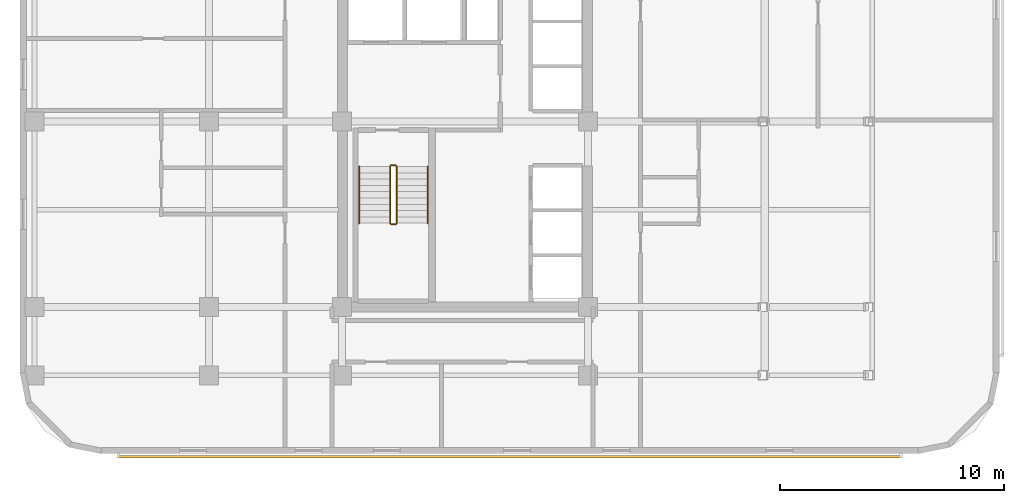
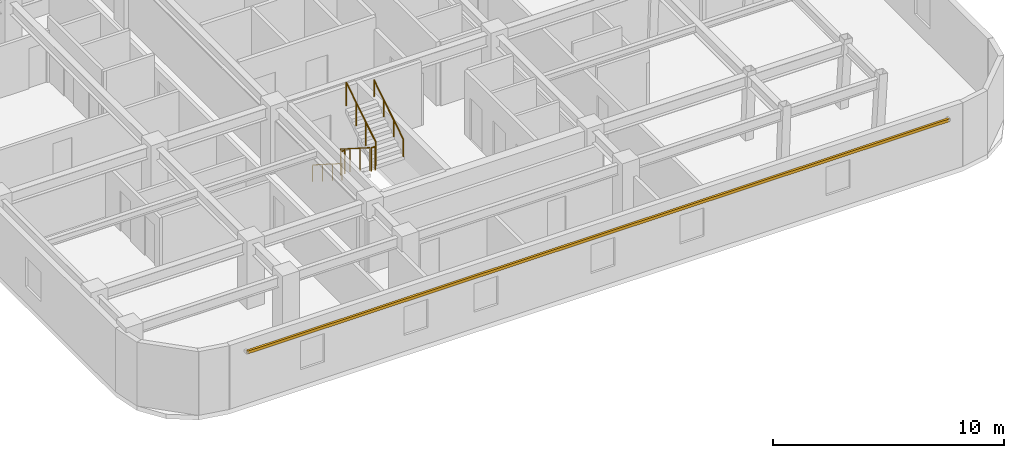
# One storey, part 8 of 11: 6 railings, 1 shading device.
"""IFC4 building model written with IfcOpenShell, lengths in metres."""

from ifc_helpers import new_model, si_unit, direction, frame, origin, origin_2d, place, context, subcontext, project, spatial, rectangle, circle, extrude, material, material_profile, profile_set, type_object, element, save


model = new_model("IFC4")

# Units and contexts
model_context = context("Model", 3, precision=1e-05, world=origin(), true_north=direction((0.0, 1.0)))
body_context = subcontext(model_context, "Body", "Model", "MODEL_VIEW")
ifc_project = project(units=[si_unit("LENGTHUNIT", "METRE"), si_unit("AREAUNIT", "SQUARE_METRE"), si_unit("VOLUMEUNIT", "CUBIC_METRE"), si_unit("PLANEANGLEUNIT", "RADIAN"), si_unit("MASSUNIT", "GRAM", prefix="KILO")], contexts=[model_context])

# Site, building, storey
site_placement = place(None, origin())
site = spatial("IfcSite", under=ifc_project, at=site_placement, CompositionType="ELEMENT")
building_placement = place(site_placement, origin())
building = spatial("IfcBuilding", under=site, at=building_placement, Name="Ochreholt Gables", CompositionType="ELEMENT")
storey_placement = place(building_placement, frame((0.0, 0.0, 87.60009765625)))
storey = spatial("IfcBuildingStorey", under=building, at=storey_placement, Name="L22", CompositionType="ELEMENT", Elevation=87.60009765625)

# Railings
ifc_material_1 = material(Name="Painted Steel Stair Guardrail", Category="steel")
railing_type_1 = type_object("IfcRailingType", Name="RL-ST-GUARD", PredefinedType="GUARDRAIL", material=ifc_material_1)
railing_1_placement = place(storey_placement, frame((26.35009765625, 15.5400390625, 0.179931640625)))
element("IfcRailing", 1, at=railing_1_placement, inside=storey, type_object=railing_type_1, Name="L22 ST-1 stair guard 1", PredefinedType="GUARDRAIL", context=body_context, shape_type="SweptSolid", body=[
    extrude(circle(Radius=0.02392578125, at=origin_2d()), frame((0.0, 0.0, 1.22607421875), z_axis=(0.0, -0.842949592929, 0.537992549931), x_axis=(1.0, 0.0, 0.0)), (0.0, 0.0, 1.0), 3.010986328125),
    extrude(circle(Radius=0.02099609375, at=origin_2d()), origin(), (0.0, 0.0, 1.0), 1.201904296875),
    extrude(circle(Radius=0.02099609375, at=origin_2d()), frame((0.0, -0.845947265625, 0.5400390625)), (0.0, 0.0, 1.0), 1.201904296875),
    extrude(circle(Radius=0.02099609375, at=origin_2d()), frame((0.0, -1.692138671875, 1.079833984375)), (0.0, 0.0, 1.0), 1.201904296875),
    extrude(circle(Radius=0.02099609375, at=origin_2d()), frame((0.0, -2.5380859375, 1.619873046875)), (0.0, 0.0, 1.0), 1.201904296875),
])
railing_2_placement = place(storey_placement, frame((26.39990234375, 12.951904296875, 1.7998046875)))
element("IfcRailing", 2, at=railing_2_placement, inside=storey, type_object=railing_type_1, Name="L22 ST-1 stair guard 2", PredefinedType="GUARDRAIL", context=body_context, shape_type="SweptSolid", body=[
    extrude(circle(Radius=0.02392578125, at=origin_2d()), frame((0.0, 0.0, 1.22607421875), z_axis=(1.0, 0.0, 0.0), x_axis=(0.0, 1.0, 0.0)), (0.0, 0.0, 1.0), 0.2001953125),
    extrude(circle(Radius=0.02099609375, at=origin_2d()), origin(), (0.0, 0.0, 1.0), 1.201904296875),
    extrude(circle(Radius=0.02099609375, at=origin_2d()), frame((0.2001953125, 0.0, 0.0)), (0.0, 0.0, 1.0), 1.201904296875),
])
railing_3_placement = place(storey_placement, frame((26.64990234375, 13.001953125, 1.97998046875)))
element("IfcRailing", 3, at=railing_3_placement, inside=storey, type_object=railing_type_1, Name="L22 ST-1 stair guard 3", PredefinedType="GUARDRAIL", context=body_context, shape_type="SweptSolid", body=[
    extrude(circle(Radius=0.02392578125, at=origin_2d()), frame((0.0, 0.0, 1.22607421875), z_axis=(0.0, 0.842949592929, 0.537992549931), x_axis=(-1.0, 0.0, 0.0)), (0.0, 0.0, 1.0), 3.010986328125),
    extrude(circle(Radius=0.02099609375, at=origin_2d()), origin(), (0.0, 0.0, 1.0), 1.201904296875),
    extrude(circle(Radius=0.02099609375, at=origin_2d()), frame((0.0, 0.845947265625, 0.5400390625)), (0.0, 0.0, 1.0), 1.201904296875),
    extrude(circle(Radius=0.02099609375, at=origin_2d()), frame((0.0, 1.692138671875, 1.079833984375)), (0.0, 0.0, 1.0), 1.201904296875),
    extrude(circle(Radius=0.02099609375, at=origin_2d()), frame((0.0, 2.5380859375, 1.619873046875)), (0.0, 0.0, 1.0), 1.201904296875),
])
railing_4_placement = place(storey_placement, frame((26.39990234375, 15.590087890625, 0.0)))
element("IfcRailing", 4, at=railing_4_placement, inside=storey, type_object=railing_type_1, Name="L22 ST-1 stair guard 4", PredefinedType="GUARDRAIL", context=body_context, shape_type="SweptSolid", body=[
    extrude(circle(Radius=0.02392578125, at=origin_2d()), frame((0.0, 0.0, 1.22607421875), z_axis=(1.0, 0.0, 0.0), x_axis=(0.0, 1.0, 0.0)), (0.0, 0.0, 1.0), 0.2001953125),
    extrude(circle(Radius=0.02099609375, at=origin_2d()), origin(), (0.0, 0.0, 1.0), 1.201904296875),
    extrude(circle(Radius=0.02099609375, at=origin_2d()), frame((0.2001953125, 0.0, 0.0)), (0.0, 0.0, 1.0), 1.201904296875),
])
ifc_material_2 = material(Name="Brushed Stainless Steel Wall Handrail", Category="steel")
railing_type_2 = type_object("IfcRailingType", Name="RL-ST-HAND", PredefinedType="HANDRAIL", material=ifc_material_2)
railing_5_placement = place(storey_placement, frame((24.969970703125, 15.5400390625, 0.179931640625)))
element("IfcRailing", 5, at=railing_5_placement, inside=storey, type_object=railing_type_2, Name="L22 ST-1 stair handrail 1", PredefinedType="HANDRAIL", context=body_context, shape_type="SweptSolid", body=[
    extrude(circle(Radius=0.02392578125, at=origin_2d()), frame((0.0, 0.0, 0.8759765625), z_axis=(0.0, -0.842949592929, 0.537992549931), x_axis=(1.0, 0.0, 0.0)), (0.0, 0.0, 1.0), 3.010986328125),
    extrude(circle(Radius=0.02099609375, at=origin_2d()), origin(), (0.0, 0.0, 1.0), 0.851806640625),
    extrude(circle(Radius=0.02099609375, at=origin_2d()), frame((0.0, -0.845947265625, 0.5400390625)), (0.0, 0.0, 1.0), 0.851806640625),
    extrude(circle(Radius=0.02099609375, at=origin_2d()), frame((0.0, -1.692138671875, 1.079833984375)), (0.0, 0.0, 1.0), 0.851806640625),
    extrude(circle(Radius=0.02099609375, at=origin_2d()), frame((0.0, -2.5380859375, 1.619873046875)), (0.0, 0.0, 1.0), 0.851806640625),
])
railing_6_placement = place(storey_placement, frame((28.030029296875, 13.001953125, 1.97998046875)))
element("IfcRailing", 6, at=railing_6_placement, inside=storey, type_object=railing_type_2, Name="L22 ST-1 stair handrail 2", PredefinedType="HANDRAIL", context=body_context, shape_type="SweptSolid", body=[
    extrude(circle(Radius=0.02392578125, at=origin_2d()), frame((0.0, 0.0, 0.8759765625), z_axis=(0.0, 0.842949592929, 0.537992549931), x_axis=(-1.0, 0.0, 0.0)), (0.0, 0.0, 1.0), 3.010986328125),
    extrude(circle(Radius=0.02099609375, at=origin_2d()), origin(), (0.0, 0.0, 1.0), 0.851806640625),
    extrude(circle(Radius=0.02099609375, at=origin_2d()), frame((0.0, 0.845947265625, 0.5400390625)), (0.0, 0.0, 1.0), 0.851806640625),
    extrude(circle(Radius=0.02099609375, at=origin_2d()), frame((0.0, 1.692138671875, 1.079833984375)), (0.0, 0.0, 1.0), 0.851806640625),
    extrude(circle(Radius=0.02099609375, at=origin_2d()), frame((0.0, 2.5380859375, 1.619873046875)), (0.0, 0.0, 1.0), 0.851806640625),
])

# Shading device
ifc_material_3 = material(Name="Warm Ochre Glazed Terracotta Baguette", Category="masonry")
ifc_material_profile = material_profile(ifc_material_3, rectangle(XDim=0.110107421875, YDim=0.14990234375, at=origin_2d()), Name="TCBAG110X150")
ifc_profile_set = profile_set([ifc_material_profile], Name="Warm Ochre Glazed Terracotta Baguette")
shading_device_type = type_object("IfcShadingDeviceType", Name="SHD-BAGUETTE", PredefinedType="USERDEFINED", material=ifc_profile_set)
shading_device_placement = place(storey_placement, frame((14.199951171875, 2.550048828125, 2.83984375), z_axis=(1.0, 0.0, 0.0), x_axis=(0.0, 1.0, 0.0)))
element("IfcShadingDevice", 7, at=shading_device_placement, inside=storey, type_object=shading_device_type, Name="L22 Terracotta Baguette Screen S-1", ObjectType="BAGUETTE", PredefinedType="USERDEFINED", context=body_context, shape_type="SweptSolid", body=[
    extrude(rectangle(XDim=0.110107421875, YDim=0.14990234375, at=origin_2d()), origin(), (0.0, 0.0, 1.0), 35.0),
])

save(model, "model.ifc")
